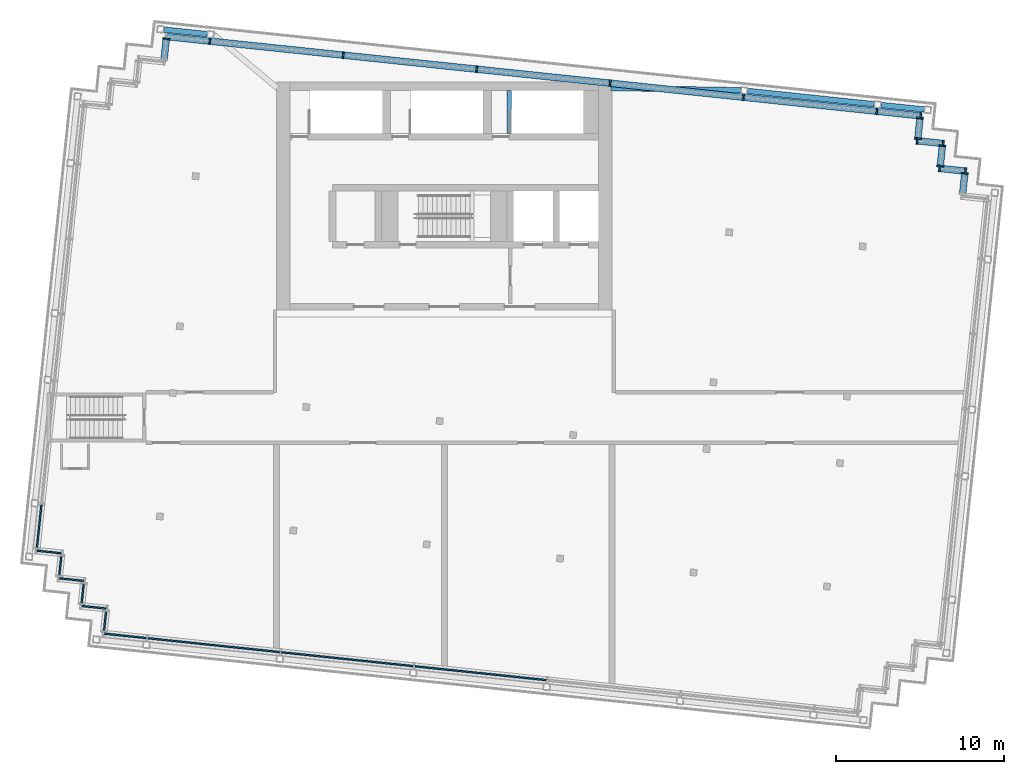
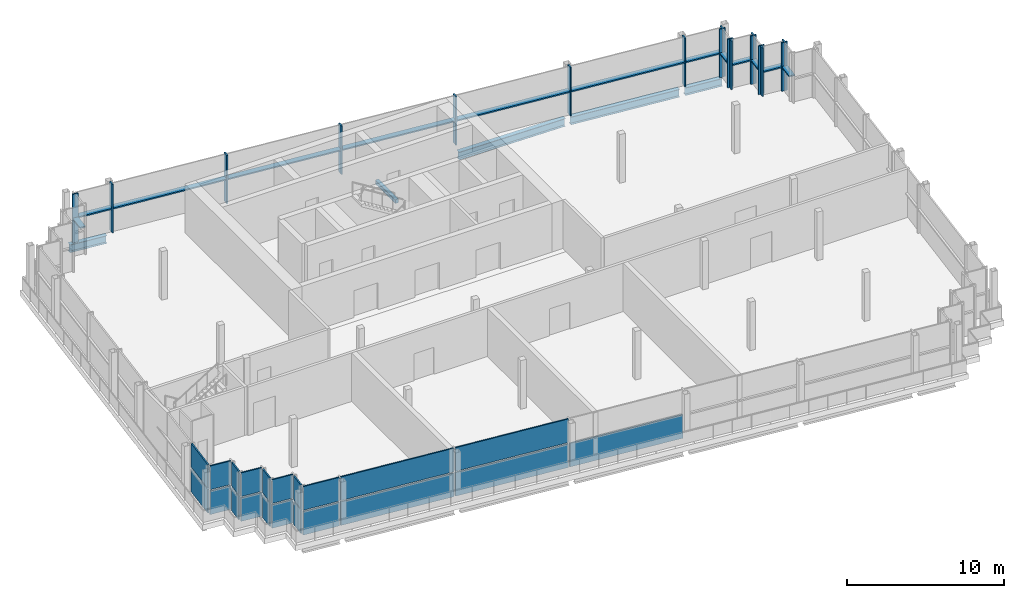
# One storey, part 5 of 13: 30 members, 21 plates, 5 beams, 15 elements without a shape of their own.
"""IFC4 building model written with IfcOpenShell, lengths in metres."""

from ifc_helpers import new_model, si_unit, direction, frame, origin, origin_2d, place, context, subcontext, project, spatial, rectangle, i_section, extrude, material, layer, layer_set, material_profile, profile_set, type_object, element, aggregate, save


model = new_model("IFC4")

# Units and contexts
model_context = context("Model", 3, precision=1e-05, world=origin(), true_north=direction((0.0, 1.0)))
body_context = subcontext(model_context, "Body", "Model", "MODEL_VIEW")
ifc_project = project(units=[si_unit("LENGTHUNIT", "METRE"), si_unit("AREAUNIT", "SQUARE_METRE"), si_unit("VOLUMEUNIT", "CUBIC_METRE"), si_unit("PLANEANGLEUNIT", "RADIAN"), si_unit("MASSUNIT", "GRAM", prefix="KILO")], contexts=[model_context])

# Site, building, storey
site_placement = place(None, origin())
site = spatial("IfcSite", under=ifc_project, at=site_placement, CompositionType="ELEMENT")
building_placement = place(site_placement, origin())
building = spatial("IfcBuilding", under=site, at=building_placement, Name="Vidyagriha Tower", CompositionType="ELEMENT")
storey_placement = place(building_placement, frame((0.0, 0.0, 309.199951171875)))
storey = spatial("IfcBuildingStorey", under=building, at=storey_placement, Name="L79", CompositionType="ELEMENT", Elevation=309.199951171875)

# Beams
ifc_material_1 = material(Name="Steel ASTM A992 Grade 50", Category="steel")
ifc_material_profile_1 = material_profile(ifc_material_1, i_section(OverallWidth=0.32373046875, OverallDepth=0.612060546875, WebThickness=0.0126953125, FlangeThickness=0.01904296875, at=origin_2d()), Name="W24X104")
ifc_profile_set_1 = profile_set([ifc_material_profile_1], Name="Steel ASTM A992 Grade 50")
beam_type_1 = type_object("IfcBeamType", Name="Edge beam W24X104", PredefinedType="SPANDREL", material=ifc_profile_set_1)
beam_1_placement = place(storey_placement, frame((-16.727294921875, 23.135986328125, -0.72607421875), z_axis=(0.994523446942, -0.104513699976, 0.0), x_axis=(0.104513699976, 0.994523446942, 0.0)))
element("IfcBeam", 1, at=beam_1_placement, inside=storey, type_object=beam_type_1, Name="st-beam-L79-NW18", PredefinedType="SPANDREL", context=body_context, shape_type="SweptSolid", body=[
    extrude(i_section(OverallWidth=0.32373046875, OverallDepth=0.612060546875, WebThickness=0.0126953125, FlangeThickness=0.01904296875, at=origin_2d()), origin(), (0.0, 0.0, 1.0), 2.599853515625),
])
beam_2_placement = place(storey_placement, frame((18.080810546875, 19.4775390625, -0.72607421875), z_axis=(0.994521985944, -0.104527601494, 0.0), x_axis=(0.104527601494, 0.994521985944, 0.0)))
element("IfcBeam", 2, at=beam_2_placement, inside=storey, type_object=beam_type_1, Name="st-beam-L79-NE19", PredefinedType="SPANDREL", context=body_context, shape_type="SweptSolid", body=[
    extrude(i_section(OverallWidth=0.32373046875, OverallDepth=0.612060546875, WebThickness=0.0126953125, FlangeThickness=0.01904296875, at=origin_2d()), origin(), (0.0, 0.0, 1.0), 7.600341796875),
])
beam_3_placement = place(storey_placement, frame((26.037109375, 18.641357421875, -0.72607421875), z_axis=(0.99451368233, -0.104606575594, 0.0), x_axis=(0.104606575594, 0.99451368233, 0.0)))
element("IfcBeam", 3, at=beam_3_placement, inside=storey, type_object=beam_type_1, Name="st-beam-L79-NE20", PredefinedType="SPANDREL", context=body_context, shape_type="SweptSolid", body=[
    extrude(i_section(OverallWidth=0.32373046875, OverallDepth=0.612060546875, WebThickness=0.0126953125, FlangeThickness=0.01904296875, at=origin_2d()), origin(), (0.0, 0.0, 1.0), 2.599853515625),
])
beam_4_placement = place(storey_placement, frame((9.92578125, 19.64990234375, -0.72607421875), z_axis=(0.999858276636, -0.016835279726, 0.0), x_axis=(0.016835279726, 0.999858276636, 0.0)))
element("IfcBeam", 4, at=beam_4_placement, inside=storey, type_object=beam_type_1, Name="st-beam-L79-NC22", PredefinedType="SPANDREL", context=body_context, shape_type="SweptSolid", body=[
    extrude(i_section(OverallWidth=0.32373046875, OverallDepth=0.612060546875, WebThickness=0.0126953125, FlangeThickness=0.01904296875, at=origin_2d()), origin(), (0.0, 0.0, 1.0), 7.758544921875),
])

# Curtain wall, member
ifc_material_2 = material(Name="Aluminium and glass curtain wall", Category="aluminium")
curtain_wall_type = type_object("IfcCurtainWallType", Name="Crown plant louvre wall", PredefinedType="USERDEFINED", material=ifc_material_2)
curtain_wall_1_placement = place(storey_placement, origin())
curtain_wall_1 = element("IfcCurtainWall", 5, at=curtain_wall_1_placement, inside=storey, type_object=curtain_wall_type, Name="CW9 crown plant louvre wall", ObjectType="STICK GLAZING", PredefinedType="USERDEFINED")
ifc_material_3 = material(Name="Aluminium black anodised", Category="aluminium")
ifc_material_profile_2 = material_profile(ifc_material_3, rectangle(XDim=0.39990234375, YDim=0.10009765625, at=origin_2d()), Name="Mullion 100x400 black aluminium")
ifc_profile_set_2 = profile_set([ifc_material_profile_2], Name="Aluminium black anodised")
member_type_1 = type_object("IfcMemberType", Name="Mullion 100x400 black aluminium", PredefinedType="MULLION", material=ifc_profile_set_2)
member_1_placement = place(storey_placement, frame((31.03857421875, 14.566162109375, 0.0), z_axis=(0.0, 0.0, 1.0), x_axis=(-0.994527511623, 0.104475014354, 0.0)))
member_1 = element("IfcMember", 6, at=member_1_placement, type_object=member_type_1, Name="CW9 mullion 2", PredefinedType="MULLION", context=body_context, shape_type="SweptSolid", body=[
    extrude(rectangle(XDim=0.39990234375, YDim=0.10009765625, at=origin_2d()), origin(), (0.0, 0.0, 1.0), 3.780029296875),
])

# Curtain wall, members
curtain_wall_2_placement = place(storey_placement, origin())
curtain_wall_2 = element("IfcCurtainWall", 7, at=curtain_wall_2_placement, inside=storey, type_object=curtain_wall_type, Name="CW9 crown plant louvre wall", ObjectType="STICK GLAZING", PredefinedType="USERDEFINED")
member_2_placement = place(storey_placement, frame((31.08203125, 14.692138671875, 0.0), z_axis=(0.0, 0.0, 1.0), x_axis=(-0.104518583201, -0.994522933756, 0.0)))
member_2 = element("IfcMember", 8, at=member_2_placement, type_object=member_type_1, Name="CW9 mullion 1", PredefinedType="MULLION", context=body_context, shape_type="SweptSolid", body=[
    extrude(rectangle(XDim=0.39990234375, YDim=0.10009765625, at=origin_2d()), origin(), (0.0, 0.0, 1.0), 3.780029296875),
])
member_3_placement = place(storey_placement, frame((29.530517578125, 14.855224609375, 0.0), z_axis=(0.0, 0.0, 1.0), x_axis=(-0.104518583201, -0.994522933756, 0.0)))
member_3 = element("IfcMember", 9, at=member_3_placement, type_object=member_type_1, Name="CW9 mullion 2", PredefinedType="MULLION", context=body_context, shape_type="SweptSolid", body=[
    extrude(rectangle(XDim=0.39990234375, YDim=0.10009765625, at=origin_2d()), origin(), (0.0, 0.0, 1.0), 3.780029296875),
])

curtain_wall_3_placement = place(storey_placement, origin())
curtain_wall_3 = element("IfcCurtainWall", 10, at=curtain_wall_3_placement, inside=storey, type_object=curtain_wall_type, Name="CW9 crown plant louvre wall", ObjectType="STICK GLAZING", PredefinedType="USERDEFINED")
member_4_placement = place(storey_placement, frame((29.573974609375, 14.9814453125, 0.0), z_axis=(0.0, 0.0, 1.0), x_axis=(-0.994518939392, 0.104556583677, 0.0)))
member_4 = element("IfcMember", 11, at=member_4_placement, type_object=member_type_1, Name="CW9 mullion 1", PredefinedType="MULLION", context=body_context, shape_type="SweptSolid", body=[
    extrude(rectangle(XDim=0.39990234375, YDim=0.10009765625, at=origin_2d()), origin(), (0.0, 0.0, 1.0), 3.780029296875),
])
member_5_placement = place(storey_placement, frame((29.70361328125, 16.214599609375, 0.0), z_axis=(0.0, 0.0, 1.0), x_axis=(-0.994518939392, 0.104556583677, 0.0)))
member_5 = element("IfcMember", 12, at=member_5_placement, type_object=member_type_1, Name="CW9 mullion 2", PredefinedType="MULLION", context=body_context, shape_type="SweptSolid", body=[
    extrude(rectangle(XDim=0.39990234375, YDim=0.10009765625, at=origin_2d()), origin(), (0.0, 0.0, 1.0), 3.780029296875),
])

curtain_wall_4_placement = place(storey_placement, origin())
curtain_wall_4 = element("IfcCurtainWall", 13, at=curtain_wall_4_placement, inside=storey, type_object=curtain_wall_type, Name="CW9 crown plant louvre wall", ObjectType="STICK GLAZING", PredefinedType="USERDEFINED")
member_6_placement = place(storey_placement, frame((29.7470703125, 16.3408203125, 0.0), z_axis=(0.0, 0.0, 1.0), x_axis=(-0.104518583201, -0.994522933756, 0.0)))
member_6 = element("IfcMember", 14, at=member_6_placement, type_object=member_type_1, Name="CW9 mullion 1", PredefinedType="MULLION", context=body_context, shape_type="SweptSolid", body=[
    extrude(rectangle(XDim=0.39990234375, YDim=0.10009765625, at=origin_2d()), origin(), (0.0, 0.0, 1.0), 3.780029296875),
])
member_7_placement = place(storey_placement, frame((28.195556640625, 16.50390625, 0.0), z_axis=(0.0, 0.0, 1.0), x_axis=(-0.104518583201, -0.994522933756, 0.0)))
member_7 = element("IfcMember", 15, at=member_7_placement, type_object=member_type_1, Name="CW9 mullion 2", PredefinedType="MULLION", context=body_context, shape_type="SweptSolid", body=[
    extrude(rectangle(XDim=0.39990234375, YDim=0.10009765625, at=origin_2d()), origin(), (0.0, 0.0, 1.0), 3.780029296875),
])

curtain_wall_5_placement = place(storey_placement, origin())
curtain_wall_5 = element("IfcCurtainWall", 16, at=curtain_wall_5_placement, inside=storey, type_object=curtain_wall_type, Name="CW9 crown plant louvre wall", ObjectType="STICK GLAZING", PredefinedType="USERDEFINED")
member_8_placement = place(storey_placement, frame((28.239013671875, 16.630126953125, 0.0), z_axis=(0.0, 0.0, 1.0), x_axis=(-0.994518939392, 0.104556583677, 0.0)))
member_8 = element("IfcMember", 17, at=member_8_placement, type_object=member_type_1, Name="CW9 mullion 1", PredefinedType="MULLION", context=body_context, shape_type="SweptSolid", body=[
    extrude(rectangle(XDim=0.39990234375, YDim=0.10009765625, at=origin_2d()), origin(), (0.0, 0.0, 1.0), 3.780029296875),
])
member_9_placement = place(storey_placement, frame((28.36865234375, 17.86328125, 0.0), z_axis=(0.0, 0.0, 1.0), x_axis=(-0.994518939392, 0.104556583677, 0.0)))
member_9 = element("IfcMember", 18, at=member_9_placement, type_object=member_type_1, Name="CW9 mullion 2", PredefinedType="MULLION", context=body_context, shape_type="SweptSolid", body=[
    extrude(rectangle(XDim=0.39990234375, YDim=0.10009765625, at=origin_2d()), origin(), (0.0, 0.0, 1.0), 3.780029296875),
])

curtain_wall_6_placement = place(storey_placement, origin())
curtain_wall_6 = element("IfcCurtainWall", 19, at=curtain_wall_6_placement, inside=storey, type_object=curtain_wall_type, Name="CW9 crown plant louvre wall", ObjectType="STICK GLAZING", PredefinedType="USERDEFINED")
member_10_placement = place(storey_placement, frame((28.411865234375, 17.989501953125, 0.0), z_axis=(0.0, 0.0, 1.0), x_axis=(-0.104528022383, -0.994521941707, 0.0)))
member_10 = element("IfcMember", 20, at=member_10_placement, type_object=member_type_1, Name="CW9 mullion 1", PredefinedType="MULLION", context=body_context, shape_type="SweptSolid", body=[
    extrude(rectangle(XDim=0.39990234375, YDim=0.10009765625, at=origin_2d()), origin(), (0.0, 0.0, 1.0), 3.780029296875),
])
member_11_placement = place(storey_placement, frame((25.79638671875, 18.264404296875, 0.0), z_axis=(0.0, 0.0, 1.0), x_axis=(-0.104528022383, -0.994521941707, 0.0)))
member_11 = element("IfcMember", 21, at=member_11_placement, type_object=member_type_1, Name="CW9 mullion 2", PredefinedType="MULLION", context=body_context, shape_type="SweptSolid", body=[
    extrude(rectangle(XDim=0.39990234375, YDim=0.10009765625, at=origin_2d()), origin(), (0.0, 0.0, 1.0), 3.780029296875),
])
member_12_placement = place(storey_placement, frame((17.840087890625, 19.1005859375, 0.0), z_axis=(0.0, 0.0, 1.0), x_axis=(-0.104528022383, -0.994521941707, 0.0)))
member_12 = element("IfcMember", 22, at=member_12_placement, type_object=member_type_1, Name="CW9 mullion 3", PredefinedType="MULLION", context=body_context, shape_type="SweptSolid", body=[
    extrude(rectangle(XDim=0.39990234375, YDim=0.10009765625, at=origin_2d()), origin(), (0.0, 0.0, 1.0), 3.780029296875),
])
member_13_placement = place(storey_placement, frame((9.884033203125, 19.936767578125, 0.0), z_axis=(0.0, 0.0, 1.0), x_axis=(-0.104528022383, -0.994521941707, 0.0)))
member_13 = element("IfcMember", 23, at=member_13_placement, type_object=member_type_1, Name="CW9 mullion 4", PredefinedType="MULLION", context=body_context, shape_type="SweptSolid", body=[
    extrude(rectangle(XDim=0.39990234375, YDim=0.10009765625, at=origin_2d()), origin(), (0.0, 0.0, 1.0), 3.780029296875),
])
member_14_placement = place(storey_placement, frame((1.927978515625, 20.77294921875, 0.0), z_axis=(0.0, 0.0, 1.0), x_axis=(-0.104528022383, -0.994521941707, 0.0)))
member_14 = element("IfcMember", 24, at=member_14_placement, type_object=member_type_1, Name="CW9 mullion 5", PredefinedType="MULLION", context=body_context, shape_type="SweptSolid", body=[
    extrude(rectangle(XDim=0.39990234375, YDim=0.10009765625, at=origin_2d()), origin(), (0.0, 0.0, 1.0), 3.780029296875),
])
member_15_placement = place(storey_placement, frame((-6.0283203125, 21.609130859375, 0.0), z_axis=(0.0, 0.0, 1.0), x_axis=(-0.104528022383, -0.994521941707, 0.0)))
member_15 = element("IfcMember", 25, at=member_15_placement, type_object=member_type_1, Name="CW9 mullion 6", PredefinedType="MULLION", context=body_context, shape_type="SweptSolid", body=[
    extrude(rectangle(XDim=0.39990234375, YDim=0.10009765625, at=origin_2d()), origin(), (0.0, 0.0, 1.0), 3.780029296875),
])
member_16_placement = place(storey_placement, frame((-13.984619140625, 22.445556640625, 0.0), z_axis=(0.0, 0.0, 1.0), x_axis=(-0.104528022383, -0.994521941707, 0.0)))
member_16 = element("IfcMember", 26, at=member_16_placement, type_object=member_type_1, Name="CW9 mullion 7", PredefinedType="MULLION", context=body_context, shape_type="SweptSolid", body=[
    extrude(rectangle(XDim=0.39990234375, YDim=0.10009765625, at=origin_2d()), origin(), (0.0, 0.0, 1.0), 3.780029296875),
])

# Curtain wall, member
curtain_wall_7_placement = place(storey_placement, origin())
curtain_wall_7 = element("IfcCurtainWall", 27, at=curtain_wall_7_placement, inside=storey, type_object=curtain_wall_type, Name="CW9 crown plant louvre wall", ObjectType="STICK GLAZING", PredefinedType="USERDEFINED")
member_17_placement = place(storey_placement, frame((-16.583984375, 22.587890625, 0.0), z_axis=(0.0, 0.0, 1.0), x_axis=(0.994519755162, -0.104548823962, 0.0)))
member_17 = element("IfcMember", 28, at=member_17_placement, type_object=member_type_1, Name="CW9 mullion 1", PredefinedType="MULLION", context=body_context, shape_type="SweptSolid", body=[
    extrude(rectangle(XDim=0.39990234375, YDim=0.10009765625, at=origin_2d()), origin(), (0.0, 0.0, 1.0), 3.780029296875),
])

# Beam
ifc_material_4 = material(Name="Concrete C40/50", Category="concrete")
ifc_material_profile_3 = material_profile(ifc_material_4, rectangle(XDim=0.25, YDim=0.300048828125, at=origin_2d()), Name="Stair landing bearing beam 250x300")
ifc_profile_set_3 = profile_set([ifc_material_profile_3], Name="Concrete C40/50")
beam_type_2 = type_object("IfcBeamType", Name="Stair landing bearing beam 250x300", PredefinedType="BEAM", material=ifc_profile_set_3)
beam_5_placement = place(storey_placement, frame((3.875, 16.949951171875, -0.570068359375), z_axis=(0.0, 1.0, 0.0), x_axis=(-1.0, 0.0, 0.0)))
element("IfcBeam", 29, at=beam_5_placement, inside=storey, type_object=beam_type_2, Name="ST3 floor landing bearing beam L79", PredefinedType="BEAM", context=body_context, shape_type="SweptSolid", body=[
    extrude(rectangle(XDim=0.25, YDim=0.300048828125, at=origin_2d()), origin(), (0.0, 0.0, 1.0), 2.550048828125),
])

# Member
ifc_material_5 = material(Name="Aluminium black anodised", Category="aluminium")
ifc_material_profile_4 = material_profile(ifc_material_5, rectangle(XDim=0.39990234375, YDim=0.10009765625, at=origin_2d()), Name="Transom 100x400 black aluminium")
ifc_profile_set_4 = profile_set([ifc_material_profile_4], Name="Aluminium black anodised")
member_type_2 = type_object("IfcMemberType", Name="Transom 100x400 black aluminium", PredefinedType="USERDEFINED", material=ifc_profile_set_4)
member_18_placement = place(storey_placement, frame((30.914306640625, 13.382568359375, 1.89013671875), z_axis=(0.104506420204, 0.994524211941, 0.0), x_axis=(-0.994524211941, 0.104506420204, 0.0)))
member_18 = element("IfcMember", 30, at=member_18_placement, type_object=member_type_2, Name="CW9 transom 1.1", ObjectType="TRANSOM", PredefinedType="USERDEFINED", context=body_context, shape_type="SweptSolid", body=[
    extrude(rectangle(XDim=0.39990234375, YDim=0.10009765625, at=origin_2d()), origin(), (0.0, 0.0, 1.0), 1.14013671875),
])

aggregate(curtain_wall_1, [member_1, member_18])

member_19_placement = place(storey_placement, frame((31.0322265625, 14.697509765625, 1.89013671875), z_axis=(-0.99452284952, 0.104519384723, 0.0), x_axis=(-0.104519384723, -0.99452284952, 0.0)))
member_19 = element("IfcMember", 31, at=member_19_placement, type_object=member_type_2, Name="CW9 transom 1.1", ObjectType="TRANSOM", PredefinedType="USERDEFINED", context=body_context, shape_type="SweptSolid", body=[
    extrude(rectangle(XDim=0.39990234375, YDim=0.10009765625, at=origin_2d()), origin(), (0.0, 0.0, 1.0), 1.4599609375),
])

aggregate(curtain_wall_2, [member_2, member_3, member_19])

member_20_placement = place(storey_placement, frame((29.5791015625, 15.03125, 1.89013671875), z_axis=(0.104506420204, 0.994524211941, 0.0), x_axis=(-0.994524211941, 0.104506420204, 0.0)))
member_20 = element("IfcMember", 32, at=member_20_placement, type_object=member_type_2, Name="CW9 transom 1.1", ObjectType="TRANSOM", PredefinedType="USERDEFINED", context=body_context, shape_type="SweptSolid", body=[
    extrude(rectangle(XDim=0.39990234375, YDim=0.10009765625, at=origin_2d()), origin(), (0.0, 0.0, 1.0), 1.14013671875),
])

aggregate(curtain_wall_3, [member_4, member_5, member_20])

member_21_placement = place(storey_placement, frame((29.697265625, 16.345947265625, 1.89013671875), z_axis=(-0.99452284952, 0.104519384723, 0.0), x_axis=(-0.104519384723, -0.99452284952, 0.0)))
member_21 = element("IfcMember", 33, at=member_21_placement, type_object=member_type_2, Name="CW9 transom 1.1", ObjectType="TRANSOM", PredefinedType="USERDEFINED", context=body_context, shape_type="SweptSolid", body=[
    extrude(rectangle(XDim=0.39990234375, YDim=0.10009765625, at=origin_2d()), origin(), (0.0, 0.0, 1.0), 1.4599609375),
])

aggregate(curtain_wall_4, [member_6, member_7, member_21])

member_22_placement = place(storey_placement, frame((28.244140625, 16.679931640625, 1.89013671875), z_axis=(0.104528682681, 0.994521872307, 0.0), x_axis=(-0.994521872307, 0.104528682681, 0.0)))
member_22 = element("IfcMember", 34, at=member_22_placement, type_object=member_type_2, Name="CW9 transom 1.1", ObjectType="TRANSOM", PredefinedType="USERDEFINED", context=body_context, shape_type="SweptSolid", body=[
    extrude(rectangle(XDim=0.39990234375, YDim=0.10009765625, at=origin_2d()), origin(), (0.0, 0.0, 1.0), 1.139892578125),
])

aggregate(curtain_wall_5, [member_8, member_9, member_22])

member_23_placement = place(storey_placement, frame((28.3623046875, 17.99462890625, 1.89013671875), z_axis=(-0.994523944136, 0.104508968707, 0.0), x_axis=(-0.104508968707, -0.994523944136, 0.0)))
member_23 = element("IfcMember", 35, at=member_23_placement, type_object=member_type_2, Name="CW9 transom 1.1", ObjectType="TRANSOM", PredefinedType="USERDEFINED", context=body_context, shape_type="SweptSolid", body=[
    extrude(rectangle(XDim=0.39990234375, YDim=0.10009765625, at=origin_2d()), origin(), (0.0, 0.0, 1.0), 2.530029296875),
])

member_24_placement = place(storey_placement, frame((25.74658203125, 18.26953125, 1.89013671875), z_axis=(-0.99452304992, 0.104517477854, 0.0), x_axis=(-0.104517477854, -0.99452304992, 0.0)))
member_24 = element("IfcMember", 36, at=member_24_placement, type_object=member_type_2, Name="CW9 transom 2.1", ObjectType="TRANSOM", PredefinedType="USERDEFINED", context=body_context, shape_type="SweptSolid", body=[
    extrude(rectangle(XDim=0.39990234375, YDim=0.10009765625, at=origin_2d()), origin(), (0.0, 0.0, 1.0), 7.89990234375),
])

member_25_placement = place(storey_placement, frame((17.79052734375, 19.105712890625, 1.89013671875), z_axis=(-0.994519837139, 0.104548044158, 0.0), x_axis=(-0.104548044158, -0.994519837139, 0.0)))
member_25 = element("IfcMember", 37, at=member_25_placement, type_object=member_type_2, Name="CW9 transom 3.1", ObjectType="TRANSOM", PredefinedType="USERDEFINED", context=body_context, shape_type="SweptSolid", body=[
    extrude(rectangle(XDim=0.39990234375, YDim=0.10009765625, at=origin_2d()), origin(), (0.0, 0.0, 1.0), 7.89990234375),
])

member_26_placement = place(storey_placement, frame((9.834228515625, 19.94189453125, 1.89013671875), z_axis=(-0.994519837139, 0.104548044158, 0.0), x_axis=(-0.104548044158, -0.994519837139, 0.0)))
member_26 = element("IfcMember", 38, at=member_26_placement, type_object=member_type_2, Name="CW9 transom 4.1", ObjectType="TRANSOM", PredefinedType="USERDEFINED", context=body_context, shape_type="SweptSolid", body=[
    extrude(rectangle(XDim=0.39990234375, YDim=0.10009765625, at=origin_2d()), origin(), (0.0, 0.0, 1.0), 7.89990234375),
])

member_27_placement = place(storey_placement, frame((1.878173828125, 20.7783203125, 1.89013671875), z_axis=(-0.99452304992, 0.104517477854, 0.0), x_axis=(-0.104517477854, -0.99452304992, 0.0)))
member_27 = element("IfcMember", 39, at=member_27_placement, type_object=member_type_2, Name="CW9 transom 5.1", ObjectType="TRANSOM", PredefinedType="USERDEFINED", context=body_context, shape_type="SweptSolid", body=[
    extrude(rectangle(XDim=0.39990234375, YDim=0.10009765625, at=origin_2d()), origin(), (0.0, 0.0, 1.0), 7.89990234375),
])

member_28_placement = place(storey_placement, frame((-6.078125, 21.614501953125, 1.89013671875), z_axis=(-0.99452304992, 0.104517477854, 0.0), x_axis=(-0.104517477854, -0.99452304992, 0.0)))
member_28 = element("IfcMember", 40, at=member_28_placement, type_object=member_type_2, Name="CW9 transom 6.1", ObjectType="TRANSOM", PredefinedType="USERDEFINED", context=body_context, shape_type="SweptSolid", body=[
    extrude(rectangle(XDim=0.39990234375, YDim=0.10009765625, at=origin_2d()), origin(), (0.0, 0.0, 1.0), 7.89990234375),
])

member_29_placement = place(storey_placement, frame((-14.0341796875, 22.45068359375, 1.89013671875), z_axis=(-0.994524997964, 0.104498939827, 0.0), x_axis=(-0.104498939827, -0.994524997964, 0.0)))
member_29 = element("IfcMember", 41, at=member_29_placement, type_object=member_type_2, Name="CW9 transom 7.1", ObjectType="TRANSOM", PredefinedType="USERDEFINED", context=body_context, shape_type="SweptSolid", body=[
    extrude(rectangle(XDim=0.39990234375, YDim=0.10009765625, at=origin_2d()), origin(), (0.0, 0.0, 1.0), 2.5302734375),
])

aggregate(curtain_wall_6, [member_10, member_11, member_12, member_13, member_14, member_15, member_16, member_23, member_24, member_25, member_26, member_27, member_28, member_29])

member_30_placement = place(storey_placement, frame((-16.589111328125, 22.538330078125, 1.89013671875), z_axis=(-0.104506420204, -0.994524211941, 0.0), x_axis=(0.994524211941, -0.104506420204, 0.0)))
member_30 = element("IfcMember", 42, at=member_30_placement, type_object=member_type_2, Name="CW9 transom 1.1", ObjectType="TRANSOM", PredefinedType="USERDEFINED", context=body_context, shape_type="SweptSolid", body=[
    extrude(rectangle(XDim=0.39990234375, YDim=0.10009765625, at=origin_2d()), origin(), (0.0, 0.0, 1.0), 1.14013671875),
])

aggregate(curtain_wall_7, [member_17, member_30])

# Curtain wall, plates
curtain_wall_8_placement = place(storey_placement, origin())
curtain_wall_8 = element("IfcCurtainWall", 43, at=curtain_wall_8_placement, inside=storey, type_object=curtain_wall_type, Name="CW9 crown plant louvre wall", ObjectType="STICK GLAZING", PredefinedType="USERDEFINED")
ifc_material_6 = material(Name="Perforated fired clay brick jaali screen", Category="masonry")
ifc_layer = layer(ifc_material_6, 0.10009765625)
ifc_layer_set = layer_set([ifc_layer], Name="Perforated fired clay brick jaali screen")
plate_type = type_object("IfcPlateType", Name="Perforated brick jaali screen panel", PredefinedType="CURTAIN_PANEL", material=ifc_layer_set)
plate_1_placement = place(storey_placement, frame((-24.164306640625, -6.48388671875, 0.0), z_axis=(0.0, 0.0, 1.0), x_axis=(-0.104527289697, -0.994522018715, 0.0)))
plate_1 = element("IfcPlate", 44, at=plate_1_placement, type_object=plate_type, Name="CW9 panel 6.1", PredefinedType="CURTAIN_PANEL", context=body_context, shape_type="SweptSolid", body=[
    extrude(rectangle(XDim=2.56982421875, YDim=0.10009765625, at=origin_2d()), origin(), (0.0, 0.0, 1.0), 1.840087890625),
])
plate_2_placement = place(storey_placement, frame((-24.164306640625, -6.48388671875, 1.93994140625), z_axis=(0.0, 0.0, 1.0), x_axis=(-0.104527289697, -0.994522018715, 0.0)))
plate_2 = element("IfcPlate", 45, at=plate_2_placement, type_object=plate_type, Name="CW9 panel 6.2", PredefinedType="CURTAIN_PANEL", context=body_context, shape_type="SweptSolid", body=[
    extrude(rectangle(XDim=2.56982421875, YDim=0.10009765625, at=origin_2d()), origin(), (0.0, 0.0, 1.0), 1.840087890625),
])
aggregate(curtain_wall_8, [plate_1, plate_2])

curtain_wall_9_placement = place(storey_placement, origin())
curtain_wall_9 = element("IfcCurtainWall", 46, at=curtain_wall_9_placement, inside=storey, type_object=curtain_wall_type, Name="CW9 crown plant louvre wall", ObjectType="STICK GLAZING", PredefinedType="USERDEFINED")
plate_3_placement = place(storey_placement, frame((-23.5712890625, -8.019287109375, 0.0), z_axis=(0.0, 0.0, 1.0), x_axis=(0.994522933756, -0.104518583201, 0.0)))
plate_3 = element("IfcPlate", 47, at=plate_3_placement, type_object=plate_type, Name="CW9 panel 1.1", PredefinedType="CURTAIN_PANEL", context=body_context, shape_type="SweptSolid", body=[
    extrude(rectangle(XDim=1.4599609375, YDim=0.10009765625, at=origin_2d()), origin(), (0.0, 0.0, 1.0), 1.840087890625),
])
plate_4_placement = place(storey_placement, frame((-23.5712890625, -8.019287109375, 1.93994140625), z_axis=(0.0, 0.0, 1.0), x_axis=(0.994522933756, -0.104518583201, 0.0)))
plate_4 = element("IfcPlate", 48, at=plate_4_placement, type_object=plate_type, Name="CW9 panel 1.2", PredefinedType="CURTAIN_PANEL", context=body_context, shape_type="SweptSolid", body=[
    extrude(rectangle(XDim=1.4599609375, YDim=0.10009765625, at=origin_2d()), origin(), (0.0, 0.0, 1.0), 1.840087890625),
])
aggregate(curtain_wall_9, [plate_3, plate_4])

curtain_wall_10_placement = place(storey_placement, origin())
curtain_wall_10 = element("IfcCurtainWall", 49, at=curtain_wall_10_placement, inside=storey, type_object=curtain_wall_type, Name="CW9 crown plant louvre wall", ObjectType="STICK GLAZING", PredefinedType="USERDEFINED")
plate_5_placement = place(storey_placement, frame((-22.90380859375, -8.843505859375, 0.0), z_axis=(0.0, 0.0, 1.0), x_axis=(-0.104556583677, -0.994518939392, 0.0)))
plate_5 = element("IfcPlate", 50, at=plate_5_placement, type_object=plate_type, Name="CW9 panel 1.1", PredefinedType="CURTAIN_PANEL", context=body_context, shape_type="SweptSolid", body=[
    extrude(rectangle(XDim=1.139892578125, YDim=0.10009765625, at=origin_2d()), origin(), (0.0, 0.0, 1.0), 1.840087890625),
])
plate_6_placement = place(storey_placement, frame((-22.90380859375, -8.843505859375, 1.93994140625), z_axis=(0.0, 0.0, 1.0), x_axis=(-0.104556583677, -0.994518939392, 0.0)))
plate_6 = element("IfcPlate", 51, at=plate_6_placement, type_object=plate_type, Name="CW9 panel 1.2", PredefinedType="CURTAIN_PANEL", context=body_context, shape_type="SweptSolid", body=[
    extrude(rectangle(XDim=1.139892578125, YDim=0.10009765625, at=origin_2d()), origin(), (0.0, 0.0, 1.0), 1.840087890625),
])
aggregate(curtain_wall_10, [plate_5, plate_6])

curtain_wall_11_placement = place(storey_placement, origin())
curtain_wall_11 = element("IfcCurtainWall", 52, at=curtain_wall_11_placement, inside=storey, type_object=curtain_wall_type, Name="CW9 crown plant louvre wall", ObjectType="STICK GLAZING", PredefinedType="USERDEFINED")
plate_7_placement = place(storey_placement, frame((-22.236572265625, -9.667724609375, 0.0), z_axis=(0.0, 0.0, 1.0), x_axis=(0.994529193856, -0.104458999463, 0.0)))
plate_7 = element("IfcPlate", 53, at=plate_7_placement, type_object=plate_type, Name="CW9 panel 1.1", PredefinedType="CURTAIN_PANEL", context=body_context, shape_type="SweptSolid", body=[
    extrude(rectangle(XDim=1.4599609375, YDim=0.10009765625, at=origin_2d()), origin(), (0.0, 0.0, 1.0), 1.840087890625),
])
plate_8_placement = place(storey_placement, frame((-22.236572265625, -9.667724609375, 1.93994140625), z_axis=(0.0, 0.0, 1.0), x_axis=(0.994529193856, -0.104458999463, 0.0)))
plate_8 = element("IfcPlate", 54, at=plate_8_placement, type_object=plate_type, Name="CW9 panel 1.2", PredefinedType="CURTAIN_PANEL", context=body_context, shape_type="SweptSolid", body=[
    extrude(rectangle(XDim=1.4599609375, YDim=0.10009765625, at=origin_2d()), origin(), (0.0, 0.0, 1.0), 1.840087890625),
])
aggregate(curtain_wall_11, [plate_7, plate_8])

curtain_wall_12_placement = place(storey_placement, origin())
curtain_wall_12 = element("IfcCurtainWall", 55, at=curtain_wall_12_placement, inside=storey, type_object=curtain_wall_type, Name="CW9 crown plant louvre wall", ObjectType="STICK GLAZING", PredefinedType="USERDEFINED")
plate_9_placement = place(storey_placement, frame((-21.569091796875, -10.4921875, 0.0), z_axis=(0.0, 0.0, 1.0), x_axis=(-0.104548823962, -0.994519755162, 0.0)))
plate_9 = element("IfcPlate", 56, at=plate_9_placement, type_object=plate_type, Name="CW9 panel 1.1", PredefinedType="CURTAIN_PANEL", context=body_context, shape_type="SweptSolid", body=[
    extrude(rectangle(XDim=1.139892578125, YDim=0.10009765625, at=origin_2d()), origin(), (0.0, 0.0, 1.0), 1.840087890625),
])
plate_10_placement = place(storey_placement, frame((-21.569091796875, -10.4921875, 1.93994140625), z_axis=(0.0, 0.0, 1.0), x_axis=(-0.104548823962, -0.994519755162, 0.0)))
plate_10 = element("IfcPlate", 57, at=plate_10_placement, type_object=plate_type, Name="CW9 panel 1.2", PredefinedType="CURTAIN_PANEL", context=body_context, shape_type="SweptSolid", body=[
    extrude(rectangle(XDim=1.139892578125, YDim=0.10009765625, at=origin_2d()), origin(), (0.0, 0.0, 1.0), 1.840087890625),
])
aggregate(curtain_wall_12, [plate_9, plate_10])

curtain_wall_13_placement = place(storey_placement, origin())
curtain_wall_13 = element("IfcCurtainWall", 58, at=curtain_wall_13_placement, inside=storey, type_object=curtain_wall_type, Name="CW9 crown plant louvre wall", ObjectType="STICK GLAZING", PredefinedType="USERDEFINED")
plate_11_placement = place(storey_placement, frame((-20.901611328125, -11.31640625, 0.0), z_axis=(0.0, 0.0, 1.0), x_axis=(0.994522933756, -0.104518583201, 0.0)))
plate_11 = element("IfcPlate", 59, at=plate_11_placement, type_object=plate_type, Name="CW9 panel 1.1", PredefinedType="CURTAIN_PANEL", context=body_context, shape_type="SweptSolid", body=[
    extrude(rectangle(XDim=1.4599609375, YDim=0.10009765625, at=origin_2d()), origin(), (0.0, 0.0, 1.0), 1.840087890625),
])
plate_12_placement = place(storey_placement, frame((-20.901611328125, -11.31640625, 1.93994140625), z_axis=(0.0, 0.0, 1.0), x_axis=(0.994522933756, -0.104518583201, 0.0)))
plate_12 = element("IfcPlate", 60, at=plate_12_placement, type_object=plate_type, Name="CW9 panel 1.2", PredefinedType="CURTAIN_PANEL", context=body_context, shape_type="SweptSolid", body=[
    extrude(rectangle(XDim=1.4599609375, YDim=0.10009765625, at=origin_2d()), origin(), (0.0, 0.0, 1.0), 1.840087890625),
])
aggregate(curtain_wall_13, [plate_11, plate_12])

curtain_wall_14_placement = place(storey_placement, origin())
curtain_wall_14 = element("IfcCurtainWall", 61, at=curtain_wall_14_placement, inside=storey, type_object=curtain_wall_type, Name="CW9 crown plant louvre wall", ObjectType="STICK GLAZING", PredefinedType="USERDEFINED")
plate_13_placement = place(storey_placement, frame((-20.23388671875, -12.140625, 0.0), z_axis=(0.0, 0.0, 1.0), x_axis=(-0.104556583677, -0.994518939392, 0.0)))
plate_13 = element("IfcPlate", 62, at=plate_13_placement, type_object=plate_type, Name="CW9 panel 1.1", PredefinedType="CURTAIN_PANEL", context=body_context, shape_type="SweptSolid", body=[
    extrude(rectangle(XDim=1.139892578125, YDim=0.10009765625, at=origin_2d()), origin(), (0.0, 0.0, 1.0), 1.840087890625),
])
plate_14_placement = place(storey_placement, frame((-20.23388671875, -12.140625, 1.93994140625), z_axis=(0.0, 0.0, 1.0), x_axis=(-0.104556583677, -0.994518939392, 0.0)))
plate_14 = element("IfcPlate", 63, at=plate_14_placement, type_object=plate_type, Name="CW9 panel 1.2", PredefinedType="CURTAIN_PANEL", context=body_context, shape_type="SweptSolid", body=[
    extrude(rectangle(XDim=1.139892578125, YDim=0.10009765625, at=origin_2d()), origin(), (0.0, 0.0, 1.0), 1.840087890625),
])
aggregate(curtain_wall_14, [plate_13, plate_14])

curtain_wall_15_placement = place(storey_placement, origin())
curtain_wall_15 = element("IfcCurtainWall", 64, at=curtain_wall_15_placement, inside=storey, type_object=curtain_wall_type, Name="CW9 crown plant louvre wall", ObjectType="STICK GLAZING", PredefinedType="USERDEFINED")
plate_15_placement = place(storey_placement, frame((-19.034423828125, -13.02099609375, 0.0), z_axis=(0.0, 0.0, 1.0), x_axis=(0.99452191762, -0.104528251556, 0.0)))
plate_15 = element("IfcPlate", 65, at=plate_15_placement, type_object=plate_type, Name="CW9 panel 1.1", PredefinedType="CURTAIN_PANEL", context=body_context, shape_type="SweptSolid", body=[
    extrude(rectangle(XDim=2.530029296875, YDim=0.10009765625, at=origin_2d()), origin(), (0.0, 0.0, 1.0), 1.840087890625),
])
plate_16_placement = place(storey_placement, frame((-19.034423828125, -13.02099609375, 1.93994140625), z_axis=(0.0, 0.0, 1.0), x_axis=(0.99452191762, -0.104528251556, 0.0)))
plate_16 = element("IfcPlate", 66, at=plate_16_placement, type_object=plate_type, Name="CW9 panel 1.2", PredefinedType="CURTAIN_PANEL", context=body_context, shape_type="SweptSolid", body=[
    extrude(rectangle(XDim=2.530029296875, YDim=0.10009765625, at=origin_2d()), origin(), (0.0, 0.0, 1.0), 1.840087890625),
])
plate_17_placement = place(storey_placement, frame((-13.74853515625, -13.576416015625, 0.0), z_axis=(0.0, 0.0, 1.0), x_axis=(0.99452191762, -0.104528251556, 0.0)))
plate_17 = element("IfcPlate", 67, at=plate_17_placement, type_object=plate_type, Name="CW9 panel 2.1", PredefinedType="CURTAIN_PANEL", context=body_context, shape_type="SweptSolid", body=[
    extrude(rectangle(XDim=7.89990234375, YDim=0.10009765625, at=origin_2d()), origin(), (0.0, 0.0, 1.0), 1.840087890625),
])
plate_18_placement = place(storey_placement, frame((-13.74853515625, -13.576416015625, 1.93994140625), z_axis=(0.0, 0.0, 1.0), x_axis=(0.99452191762, -0.104528251556, 0.0)))
plate_18 = element("IfcPlate", 68, at=plate_18_placement, type_object=plate_type, Name="CW9 panel 2.2", PredefinedType="CURTAIN_PANEL", context=body_context, shape_type="SweptSolid", body=[
    extrude(rectangle(XDim=7.89990234375, YDim=0.10009765625, at=origin_2d()), origin(), (0.0, 0.0, 1.0), 1.840087890625),
])
plate_19_placement = place(storey_placement, frame((-5.792236328125, -14.41259765625, 0.0), z_axis=(0.0, 0.0, 1.0), x_axis=(0.99452191762, -0.104528251556, 0.0)))
plate_19 = element("IfcPlate", 69, at=plate_19_placement, type_object=plate_type, Name="CW9 panel 3.1", PredefinedType="CURTAIN_PANEL", context=body_context, shape_type="SweptSolid", body=[
    extrude(rectangle(XDim=7.89990234375, YDim=0.10009765625, at=origin_2d()), origin(), (0.0, 0.0, 1.0), 1.840087890625),
])
plate_20_placement = place(storey_placement, frame((-5.792236328125, -14.41259765625, 1.93994140625), z_axis=(0.0, 0.0, 1.0), x_axis=(0.99452191762, -0.104528251556, 0.0)))
plate_20 = element("IfcPlate", 70, at=plate_20_placement, type_object=plate_type, Name="CW9 panel 3.2", PredefinedType="CURTAIN_PANEL", context=body_context, shape_type="SweptSolid", body=[
    extrude(rectangle(XDim=7.89990234375, YDim=0.10009765625, at=origin_2d()), origin(), (0.0, 0.0, 1.0), 1.840087890625),
])
plate_21_placement = place(storey_placement, frame((2.163818359375, -15.248779296875, 0.0), z_axis=(0.0, 0.0, 1.0), x_axis=(0.99452191762, -0.104528251556, 0.0)))
plate_21 = element("IfcPlate", 71, at=plate_21_placement, type_object=plate_type, Name="CW9 panel 4.1", PredefinedType="CURTAIN_PANEL", context=body_context, shape_type="SweptSolid", body=[
    extrude(rectangle(XDim=7.89990234375, YDim=0.10009765625, at=origin_2d()), origin(), (0.0, 0.0, 1.0), 1.840087890625),
])
aggregate(curtain_wall_15, [plate_15, plate_16, plate_17, plate_18, plate_19, plate_20, plate_21])

save(model, "model.ifc")
